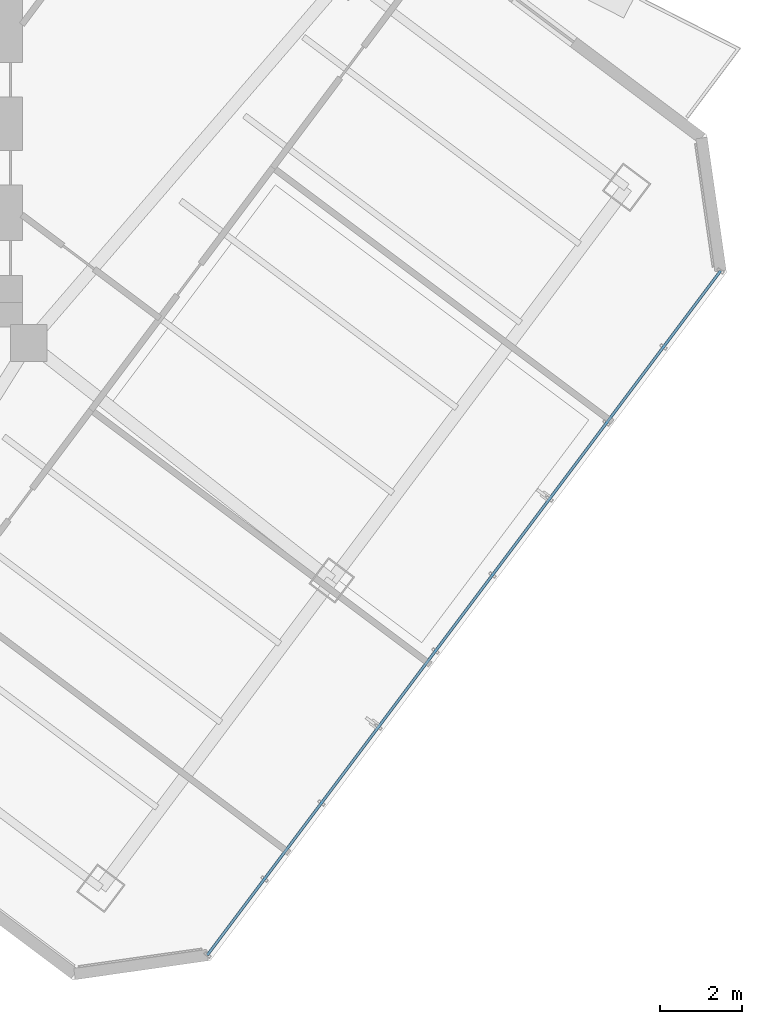
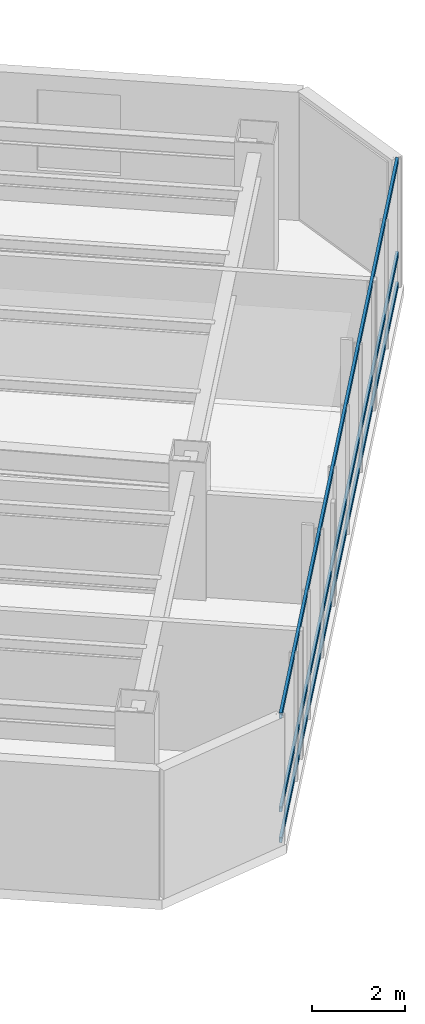
# One storey, part 12 of 28: 3 members, 1 element without a shape of its own.
"""IFC4 building model written with IfcOpenShell, lengths in metres."""

from ifc_helpers import new_model, si_unit, direction, frame, origin, origin_2d, place, context, subcontext, project, spatial, hollow_rectangle, extrude, material, layer, layer_set, material_profile, profile_set, type_object, element, aggregate, save


model = new_model("IFC4")

# Units and contexts
model_context = context("Model", 3, precision=1e-05, world=origin(), true_north=direction((0.0, 1.0)))
body_context = subcontext(model_context, "Body", "Model", "MODEL_VIEW")
ifc_project = project(units=[si_unit("LENGTHUNIT", "METRE"), si_unit("AREAUNIT", "SQUARE_METRE"), si_unit("VOLUMEUNIT", "CUBIC_METRE"), si_unit("PLANEANGLEUNIT", "RADIAN"), si_unit("MASSUNIT", "GRAM", prefix="KILO")], contexts=[model_context])

# Site, building, storey
site_placement = place(None, origin())
site = spatial("IfcSite", under=ifc_project, at=site_placement, CompositionType="ELEMENT")
building_placement = place(site_placement, origin())
building = spatial("IfcBuilding", under=site, at=building_placement, Name="Hatsunagi Terrace Concourse", CompositionType="ELEMENT")
storey_placement = place(building_placement, frame((0.0, 0.0, 160.050048828125)))
storey = spatial("IfcBuildingStorey", under=building, at=storey_placement, Name="L42", CompositionType="ELEMENT", Elevation=160.050048828125)

# Curtain wall, members
ifc_material_1 = material(Name="Anodised Aluminium Alloy 6063-T5", Category="aluminium")
ifc_layer = layer(ifc_material_1, 0.199951171875)
ifc_layer_set = layer_set([ifc_layer], Name="OfficeZone1_CW03")
curtain_wall_type = type_object("IfcCurtainWallType", Name="OfficeZone1_CW03", PredefinedType="NOTDEFINED", material=ifc_layer_set)
curtain_wall_placement = place(storey_placement, origin())
curtain_wall = element("IfcCurtainWall", 1, at=curtain_wall_placement, inside=storey, type_object=curtain_wall_type, Name="Unitised Curtain Wall CW-03 CW-L42-03", PredefinedType="NOTDEFINED")
ifc_material_2 = material(Name="Anodised Aluminium Alloy 6063-T5", Category="aluminium")
ifc_material_profile = material_profile(ifc_material_2, hollow_rectangle(XDim=0.06494140625, YDim=0.139892578125, WallThickness=0.00390625, at=origin_2d()), Name="ALU-TRN-140x65x4")
ifc_profile_set = profile_set([ifc_material_profile], Name="Anodised Aluminium Alloy 6063-T5")
member_type = type_object("IfcMemberType", Name="CurtainWallTransom_140x65", PredefinedType="USERDEFINED", material=ifc_profile_set)
member_1_placement = place(storey_placement, frame((60.693115234375, 25.9580078125, 0.050048828125), z_axis=(-0.599970072971, -0.800022444397, 0.0), x_axis=(0.800022444397, -0.599970072971, 0.0)))
member_1 = element("IfcMember", 2, at=member_1_placement, type_object=member_type, Name="Curtain Wall Transom TRN-02", ObjectType="TRANSOM", PredefinedType="USERDEFINED", context=body_context, shape_type="SweptSolid", body=[
    extrude(hollow_rectangle(XDim=0.06494140625, YDim=0.139892578125, WallThickness=0.00390625, at=origin_2d()), origin(), (0.0, 0.0, 1.0), 20.884521484375),
])
member_2_placement = place(storey_placement, frame((60.693115234375, 25.9580078125, 0.849853515625), z_axis=(-0.599970072971, -0.800022444397, 0.0), x_axis=(0.800022444397, -0.599970072971, 0.0)))
member_2 = element("IfcMember", 3, at=member_2_placement, type_object=member_type, Name="Curtain Wall Transom TRN-02", ObjectType="TRANSOM", PredefinedType="USERDEFINED", context=body_context, shape_type="SweptSolid", body=[
    extrude(hollow_rectangle(XDim=0.06494140625, YDim=0.139892578125, WallThickness=0.00390625, at=origin_2d()), origin(), (0.0, 0.0, 1.0), 20.884521484375),
])
member_3_placement = place(storey_placement, frame((60.693115234375, 25.9580078125, 3.300048828125), z_axis=(-0.599970072971, -0.800022444397, 0.0), x_axis=(0.800022444397, -0.599970072971, 0.0)))
member_3 = element("IfcMember", 4, at=member_3_placement, type_object=member_type, Name="Curtain Wall Transom TRN-02", ObjectType="TRANSOM", PredefinedType="USERDEFINED", context=body_context, shape_type="SweptSolid", body=[
    extrude(hollow_rectangle(XDim=0.06494140625, YDim=0.139892578125, WallThickness=0.00390625, at=origin_2d()), origin(), (0.0, 0.0, 1.0), 20.884521484375),
])
aggregate(curtain_wall, [member_1, member_2, member_3])

save(model, "model.ifc")
